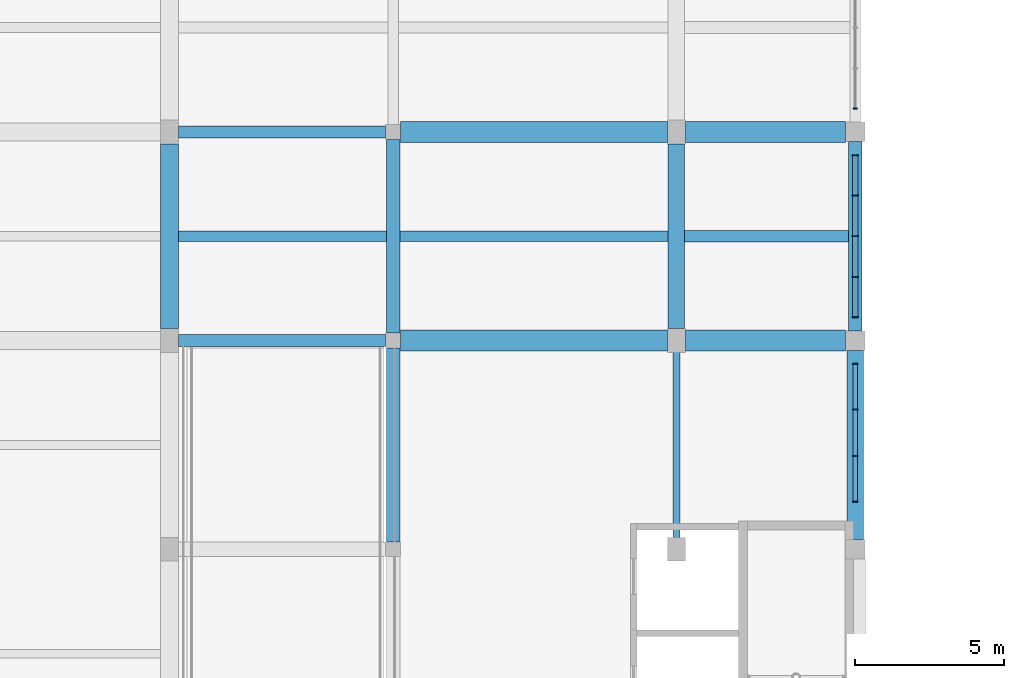
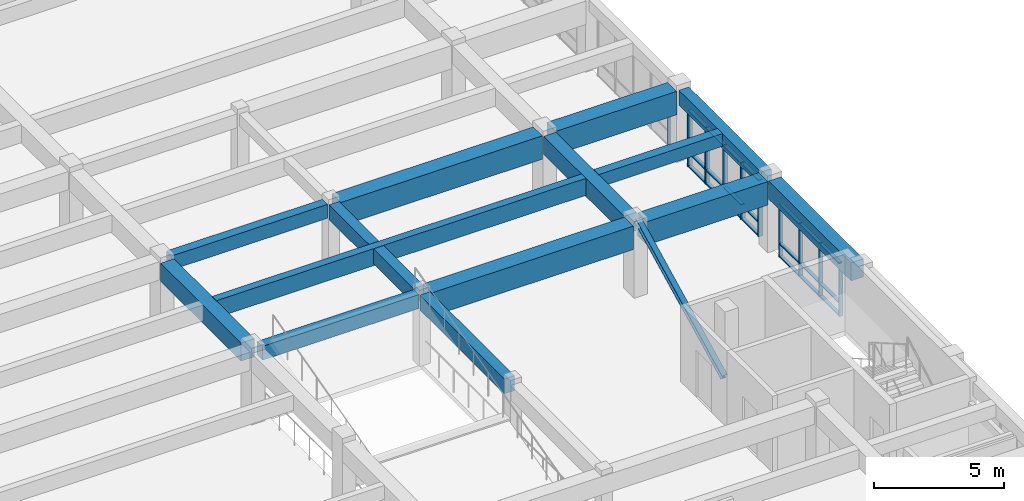
# One storey, part 40 of 77: 32 members, 14 beams, 3 elements without a shape of their own.
"""IFC4 building model written with IfcOpenShell, lengths in metres."""

import ifcopenshell
import ifcopenshell.guid

model = None  # the IFC model being written
_history = None  # IfcOwnerHistory: only IFC2X3 demands one
_inside = {}  # id of a spatial element -> (the spatial element, [elements in it])
_under = {}  # id of a project, library or spatial element -> (it, [spatial elements below it])
_declared = {}  # id of a project -> (the project, [libraries it declares])
_typed = {}  # id of a type object -> (the type object, [elements of that type])
_made_of = {}  # id of a material, layer set ... -> (it, [elements and type objects made of it])


def new_model(schema):
    """Start an empty IFC model of exactly this schema.

    Asked for "IFC4X3", IfcOpenShell would pick the latest addendum, in which some entities
    have other attributes; the version numbers below select the first issue.
    IFC2X3 requires an IfcOwnerHistory on every rooted entity: one is made here for all.
    """
    global model, _history
    if schema == "IFC4X3":
        model = ifcopenshell.file(schema_version=(4, 3, 0, 0))
    else:
        model = ifcopenshell.file(schema=schema)
    _inside.clear()
    _under.clear()
    _declared.clear()
    _typed.clear()
    _made_of.clear()
    _history = None
    if model.schema == "IFC2X3":
        org = make("IfcOrganization", Name="unknown")
        user = make(
            "IfcPersonAndOrganization",
            ThePerson=make("IfcPerson", FamilyName="unknown"),
            TheOrganization=org,
        )
        app = make(
            "IfcApplication",
            ApplicationDeveloper=org,
            Version="unknown",
            ApplicationFullName="unknown",
            ApplicationIdentifier="unknown",
        )
        _history = make(
            "IfcOwnerHistory",
            OwningUser=user,
            OwningApplication=app,
            ChangeAction="ADDED",
            CreationDate=0,
        )
    return model


def make(cls, **values):
    """One entity of the class cls with the attributes given. An attribute that is None is left unset."""
    return model.create_entity(
        cls, **{name: value for name, value in values.items() if value is not None}
    )


def rooted(cls, **values):
    """An entity with a GlobalId (a new one), such as an element, a storey or a relation."""
    return make(cls, GlobalId=ifcopenshell.guid.new(), OwnerHistory=_history, **values)


def si_unit(unit_type, name, prefix=None):
    """IfcSIUnit, for example si_unit("LENGTHUNIT", "METRE", prefix="MILLI")."""
    return make("IfcSIUnit", UnitType=unit_type, Prefix=prefix, Name=name)


def assignment(units):
    """IfcUnitAssignment: the units of a project."""
    return None if units is None else make("IfcUnitAssignment", Units=units)


def point(xyz):
    """IfcCartesianPoint."""
    return None if xyz is None else make("IfcCartesianPoint", Coordinates=xyz)


def direction(xyz):
    """IfcDirection."""
    return None if xyz is None else make("IfcDirection", DirectionRatios=xyz)


def frame(location, z_axis=None, x_axis=None):
    """IfcAxis2Placement3D, a coordinate frame: its origin and axes. An axis left out is left unset."""
    return make(
        "IfcAxis2Placement3D",
        Location=point(location),
        Axis=direction(z_axis),
        RefDirection=direction(x_axis),
    )


def frame_2d(location, x_axis=None):
    """IfcAxis2Placement2D, a coordinate frame in the plane: its origin and x axis."""
    return make(
        "IfcAxis2Placement2D", Location=point(location), RefDirection=direction(x_axis)
    )


def origin():
    """The frame at (0, 0, 0) with its axes left unset."""
    return frame((0.0, 0.0, 0.0))


def origin_2d():
    """The frame at (0, 0) in the plane with its x axis left unset."""
    return frame_2d((0.0, 0.0))


def place(relative_to, where):
    """IfcLocalPlacement: puts the frame where relative to a parent placement (None: the world)."""
    return make(
        "IfcLocalPlacement", PlacementRelTo=relative_to, RelativePlacement=where
    )


def context(
    kind, dimensions, precision=None, world=None, true_north=None, identifier=None
):
    """IfcGeometricRepresentationContext, for example the 3D "Model" context."""
    return make(
        "IfcGeometricRepresentationContext",
        ContextIdentifier=identifier,
        ContextType=kind,
        CoordinateSpaceDimension=dimensions,
        Precision=precision,
        WorldCoordinateSystem=world,
        TrueNorth=true_north,
    )


def subcontext(parent, identifier, kind, view, scale=None):
    """IfcGeometricRepresentationSubContext, for example "Body" below "Model"."""
    return make(
        "IfcGeometricRepresentationSubContext",
        ContextIdentifier=identifier,
        ContextType=kind,
        ParentContext=parent,
        TargetScale=scale,
        TargetView=view,
    )


def project(units=None, contexts=None):
    """IfcProject with its units and contexts."""
    return rooted(
        "IfcProject",
        Name="project",
        RepresentationContexts=contexts,
        UnitsInContext=assignment(units),
    )


def spatial(cls, under=None, at=None, **own):
    """A site, building, storey or space (cls), placed at a placement, below another one or the project."""
    s = rooted(cls, ObjectPlacement=at, **own)
    if under is not None:
        _under.setdefault(under.id(), (under, []))[1].append(s)
    return s


def profile(cls, at=None, kind="AREA", **sizes):
    """A parametric profile (cls). Its sizes go by their IFC names, for example OverallWidth=200.0."""
    return make(cls, ProfileType=kind, Position=at, **sizes)


def rectangle(**sizes):
    """IfcRectangleProfileDef."""
    return profile("IfcRectangleProfileDef", **sizes)


def i_section(**sizes):
    """IfcIShapeProfileDef."""
    return profile("IfcIShapeProfileDef", **sizes)


def extrude(swept, where, along, depth):
    """IfcExtrudedAreaSolid: the profile swept, set in the frame where, extruded along a direction by depth."""
    return make(
        "IfcExtrudedAreaSolid",
        SweptArea=swept,
        Position=where,
        ExtrudedDirection=direction(along),
        Depth=depth,
    )


def shape(context_of_items, identifier, shape_type, items):
    """IfcShapeRepresentation: the items that make up one representation, for example the "Body"."""
    return make(
        "IfcShapeRepresentation",
        ContextOfItems=context_of_items,
        RepresentationIdentifier=identifier,
        RepresentationType=shape_type,
        Items=items,
    )


def material(Name=None, Category=None):
    """IfcMaterial."""
    return make("IfcMaterial", Name=Name, Category=Category)


def material_profile(
    of_material, cross_section, Name=None, Category=None, Priority=None
):
    """IfcMaterialProfile: a cross section and its material."""
    return make(
        "IfcMaterialProfile",
        Name=Name,
        Material=of_material,
        Profile=cross_section,
        Priority=Priority,
        Category=Category,
    )


def profile_set(profiles, Name=None, composite=None):
    """IfcMaterialProfileSet."""
    return make(
        "IfcMaterialProfileSet",
        Name=Name,
        MaterialProfiles=profiles,
        CompositeProfile=composite,
    )


def made_of(thing, what):
    """Note that an element or type object is made of a material, layer set ...; save() writes the relation."""
    if what is not None:
        _made_of.setdefault(what.id(), (what, []))[1].append(thing)
    return thing


def type_object(cls, material=None, **own):
    """A type object (cls), such as IfcWallType, which elements share."""
    return made_of(rooted(cls, **own), material)


def element(
    cls,
    number,
    at=None,
    inside=None,
    cuts=None,
    type_object=None,
    material=None,
    context=None,
    identifier="Body",
    shape_type=None,
    held_by="IfcProductDefinitionShape",
    body=None,
    shapes=None,
    **own,
):
    """One element of the class cls, such as IfcWall. Its Tag is "e" and its number.

    at: its placement. inside: the storey or other place that contains it. cuts: it is an
    opening in that element (IfcRelVoidsElement). A single representation is given by context,
    identifier, shape_type and body (its items); several are given by shapes. held_by: the class
    of the entity that holds the representations. save() writes the other relations.
    """
    e = rooted(cls, Tag="e%d" % number, ObjectPlacement=at, **own)
    if body is not None:
        shapes = [shape(context, identifier, shape_type, body)]
    if shapes is not None:
        e.Representation = make(held_by, Representations=shapes)
    if inside is not None:
        _inside.setdefault(inside.id(), (inside, []))[1].append(e)
    if cuts is not None:
        rooted(
            "IfcRelVoidsElement", RelatingBuildingElement=cuts, RelatedOpeningElement=e
        )
    if type_object is not None:
        _typed.setdefault(type_object.id(), (type_object, []))[1].append(e)
    return made_of(e, material)


def aggregate(whole, parts):
    """IfcRelAggregates: a whole, such as a stair, and the parts it consists of."""
    return rooted("IfcRelAggregates", RelatingObject=whole, RelatedObjects=parts)


def save(model, path):
    """Write the relations noted so far, then the file.

    IfcRelAggregates (storeys below a building ...), IfcRelContainedInSpatialStructure (elements
    in a storey), IfcRelDefinesByType, IfcRelAssociatesMaterial and IfcRelDeclares: one each for
    every whole, place, type object, material and project.
    """
    for whole, parts in _under.values():
        aggregate(whole, parts)
    for where, things in _inside.values():
        rooted(
            "IfcRelContainedInSpatialStructure",
            RelatedElements=things,
            RelatingStructure=where,
        )
    for kind, things in _typed.values():
        rooted("IfcRelDefinesByType", RelatedObjects=things, RelatingType=kind)
    for what, things in _made_of.values():
        rooted("IfcRelAssociatesMaterial", RelatedObjects=things, RelatingMaterial=what)
    for by, libraries in _declared.values():
        rooted("IfcRelDeclares", RelatingContext=by, RelatedDefinitions=libraries)
    model.write(path)


model = new_model("IFC4")

# Units and contexts
model_context = context("Model", 3, precision=1e-05, world=origin(), true_north=direction((0.0, 1.0)))
body_context = subcontext(model_context, "Body", "Model", "MODEL_VIEW")
ifc_project = project(units=[si_unit("LENGTHUNIT", "METRE"), si_unit("AREAUNIT", "SQUARE_METRE"), si_unit("VOLUMEUNIT", "CUBIC_METRE"), si_unit("PLANEANGLEUNIT", "RADIAN"), si_unit("MASSUNIT", "GRAM", prefix="KILO")], contexts=[model_context])

# Site, building, storey
site_placement = place(None, origin())
site = spatial("IfcSite", under=ifc_project, at=site_placement, CompositionType="ELEMENT")
building_placement = place(site_placement, origin())
building = spatial("IfcBuilding", under=site, at=building_placement, Name="Larkveld Mobility Hub", CompositionType="ELEMENT")
storey_placement = place(building_placement, frame((0.0, 0.0, 12.0)))
storey = spatial("IfcBuildingStorey", under=building, at=storey_placement, Name="L03", CompositionType="ELEMENT", Elevation=12.0)

# Beams
ifc_material_1 = material(Name="Precast concrete C50/60", Category="concrete")
ifc_material_profile_1 = material_profile(ifc_material_1, rectangle(XDim=0.340087890625, YDim=0.800048828125, at=origin_2d()), Name="PC DT 340x800")
ifc_profile_set_1 = profile_set([ifc_material_profile_1], Name="Precast concrete C50/60")
beam_type_1 = type_object("IfcBeamType", Name="BM-DT3480", PredefinedType="T_BEAM", material=ifc_profile_set_1)
beam_1_placement = place(storey_placement, frame((129.294921875, 73.5, 2.969970703125), z_axis=(1.0, 0.0, 0.0), x_axis=(0.0, 1.0, 0.0)))
element("IfcBeam", 1, at=beam_1_placement, inside=storey, type_object=beam_type_1, Name="Precast Double-Tee Stem L03-1119", PredefinedType="T_BEAM", context=body_context, shape_type="SweptSolid", body=[
    extrude(rectangle(XDim=0.340087890625, YDim=0.800048828125, at=origin_2d()), origin(), (0.0, 0.0, 1.0), 16.43505859375),
])
ifc_material_profile_2 = material_profile(ifc_material_1, rectangle(XDim=0.60009765625, YDim=0.85009765625, at=origin_2d()), Name="PC ITB 600x850")
ifc_profile_set_2 = profile_set([ifc_material_profile_2], Name="Precast concrete C50/60")
beam_type_2 = type_object("IfcBeamType", Name="BM-ITB6085", PredefinedType="T_BEAM", material=ifc_profile_set_2)
beam_2_placement = place(storey_placement, frame((129.0, 70.39990234375, 2.93505859375), z_axis=(0.0, 1.0, 0.0), x_axis=(-1.0, 0.0, 0.0)))
element("IfcBeam", 2, at=beam_2_placement, inside=storey, type_object=beam_type_2, Name="Primary N-S Girder L03-0817", PredefinedType="T_BEAM", context=body_context, shape_type="SweptSolid", body=[
    extrude(rectangle(XDim=0.60009765625, YDim=0.85009765625, at=origin_2d()), origin(), (0.0, 0.0, 1.0), 6.2001953125),
])
ifc_material_2 = material(Name="Concrete C40/50", Category="concrete")
ifc_material_profile_3 = material_profile(ifc_material_2, rectangle(XDim=0.39990234375, YDim=0.60009765625, at=origin_2d()), Name="RC BM 400x600")
ifc_profile_set_3 = profile_set([ifc_material_profile_3], Name="Concrete C40/50")
beam_type_3 = type_object("IfcBeamType", Name="BM-RC4060", PredefinedType="BEAM", material=ifc_profile_set_3)
beam_3_placement = place(storey_placement, frame((146.27001953125, 73.5, 3.070068359375), z_axis=(1.0, 0.0, 0.0), x_axis=(0.0, 1.0, 0.0)))
element("IfcBeam", 3, at=beam_3_placement, inside=storey, type_object=beam_type_3, Name="Concourse Spine Joist L03-1120", PredefinedType="BEAM", context=body_context, shape_type="SweptSolid", body=[
    extrude(rectangle(XDim=0.39990234375, YDim=0.60009765625, at=origin_2d()), origin(), (0.0, 0.0, 1.0), 5.510009765625),
])
ifc_material_profile_4 = material_profile(ifc_material_2, rectangle(XDim=0.39990234375, YDim=0.64990234375, at=origin_2d()), Name="RC BM 400x650")
ifc_profile_set_4 = profile_set([ifc_material_profile_4], Name="Concrete C40/50")
beam_type_4 = type_object("IfcBeamType", Name="BM-RC4065", PredefinedType="BEAM", material=ifc_profile_set_4)
for number, where, z_axis, x_axis, name in (
    (4, (129.300048828125, 70.0, 3.034912109375), (1.0, 0.0, 0.0), (0.0, 1.0, 0.0), "Primary E-W Girder L03-0727"),
    (5, (129.300048828125, 77.0, 3.034912109375), (1.0, 0.0, 0.0), (0.0, 1.0, 0.0), "Primary E-W Girder L03-0731"),
):
    element("IfcBeam", number, at=place(storey_placement, frame(where, z_axis=z_axis, x_axis=x_axis)), inside=storey, type_object=beam_type_4, Name=name, PredefinedType="BEAM", context=body_context, shape_type="SweptSolid", body=[
        extrude(rectangle(XDim=0.39990234375, YDim=0.64990234375, at=origin_2d()), origin(), (0.0, 0.0, 1.0), 6.949951171875),
    ])
ifc_material_profile_5 = material_profile(ifc_material_2, rectangle(XDim=0.449951171875, YDim=0.699951171875, at=origin_2d()), Name="RC BM 450x700")
ifc_profile_set_5 = profile_set([ifc_material_profile_5], Name="Concrete C40/50")
beam_type_5 = type_object("IfcBeamType", Name="BM-RC4570", PredefinedType="BEAM", material=ifc_profile_set_5)
beam_4_placement = place(storey_placement, frame((136.5, 70.25, 3.010009765625), z_axis=(0.0, 1.0, 0.0), x_axis=(-1.0, 0.0, 0.0)))
element("IfcBeam", 6, at=beam_4_placement, inside=storey, type_object=beam_type_5, Name="Primary N-S Girder L03-0823", PredefinedType="BEAM", context=body_context, shape_type="SweptSolid", body=[
    extrude(rectangle(XDim=0.449951171875, YDim=0.699951171875, at=origin_2d()), origin(), (0.0, 0.0, 1.0), 6.5),
])
beam_5_placement = place(storey_placement, frame((152.0, 70.324951171875, 3.010009765625), z_axis=(0.0, 1.0, 0.0), x_axis=(-1.0, 0.0, 0.0)))
element("IfcBeam", 7, at=beam_5_placement, inside=storey, type_object=beam_type_5, Name="Primary N-S Girder L03-0843", PredefinedType="BEAM", context=body_context, shape_type="SweptSolid", body=[
    extrude(rectangle(XDim=0.449951171875, YDim=0.699951171875, at=origin_2d()), origin(), (0.0, 0.0, 1.0), 6.35009765625),
])
beam_6_placement = place(storey_placement, frame((136.5, 63.25, 3.010009765625), z_axis=(0.0, 1.0, 0.0), x_axis=(-1.0, 0.0, 0.0)))
element("IfcBeam", 8, at=beam_6_placement, inside=storey, type_object=beam_type_5, Name="Ramp Edge Girder L03-0853", PredefinedType="BEAM", context=body_context, shape_type="SweptSolid", body=[
    extrude(rectangle(XDim=0.449951171875, YDim=0.699951171875, at=origin_2d()), origin(), (0.0, 0.0, 1.0), 6.5),
])
ifc_material_profile_6 = material_profile(ifc_material_2, rectangle(XDim=0.550048828125, YDim=0.85009765625, at=origin_2d()), Name="RC BM 550x850")
ifc_profile_set_6 = profile_set([ifc_material_profile_6], Name="Concrete C40/50")
beam_type_6 = type_object("IfcBeamType", Name="BM-RC5585", PredefinedType="BEAM", material=ifc_profile_set_6)
beam_7_placement = place(storey_placement, frame((146.0, 70.39990234375, 2.93505859375), z_axis=(0.0, 1.0, 0.0), x_axis=(-1.0, 0.0, 0.0)))
element("IfcBeam", 9, at=beam_7_placement, inside=storey, type_object=beam_type_6, Name="Primary N-S Girder L03-0830", PredefinedType="BEAM", context=body_context, shape_type="SweptSolid", body=[
    extrude(rectangle(XDim=0.550048828125, YDim=0.85009765625, at=origin_2d()), origin(), (0.0, 0.0, 1.0), 6.2001953125),
])
beam_8_placement = place(storey_placement, frame((152.0, 63.324951171875, 2.93505859375), z_axis=(0.0, 1.0, 0.0), x_axis=(-1.0, 0.0, 0.0)))
element("IfcBeam", 10, at=beam_8_placement, inside=storey, type_object=beam_type_6, Name="Primary N-S Girder L03-0842", PredefinedType="BEAM", context=body_context, shape_type="SweptSolid", body=[
    extrude(rectangle(XDim=0.550048828125, YDim=0.85009765625, at=origin_2d()), origin(), (0.0, 0.0, 1.0), 6.35009765625),
])
ifc_material_profile_7 = material_profile(ifc_material_2, rectangle(XDim=0.699951171875, YDim=1.10009765625, at=origin_2d()), Name="RC BM 700x1100")
ifc_profile_set_7 = profile_set([ifc_material_profile_7], Name="Concrete C40/50")
beam_type_7 = type_object("IfcBeamType", Name="BM-RC70110", PredefinedType="BEAM", material=ifc_profile_set_7)
beam_9_placement = place(storey_placement, frame((136.75, 70.0, 2.81005859375), z_axis=(1.0, 0.0, 0.0), x_axis=(0.0, 1.0, 0.0)))
element("IfcBeam", 11, at=beam_9_placement, inside=storey, type_object=beam_type_7, Name="Primary E-W Girder L03-0728", PredefinedType="BEAM", context=body_context, shape_type="SweptSolid", body=[
    extrude(rectangle(XDim=0.699951171875, YDim=1.10009765625, at=origin_2d()), origin(), (0.0, 0.0, 1.0), 8.949951171875),
])
beam_10_placement = place(storey_placement, frame((146.300048828125, 70.0, 2.81005859375), z_axis=(1.0, 0.0, 0.0), x_axis=(0.0, 1.0, 0.0)))
element("IfcBeam", 12, at=beam_10_placement, inside=storey, type_object=beam_type_7, Name="Primary E-W Girder L03-0729", PredefinedType="BEAM", context=body_context, shape_type="SweptSolid", body=[
    extrude(rectangle(XDim=0.699951171875, YDim=1.10009765625, at=origin_2d()), origin(), (0.0, 0.0, 1.0), 5.375),
])
beam_11_placement = place(storey_placement, frame((136.75, 77.0, 2.81005859375), z_axis=(1.0, 0.0, 0.0), x_axis=(0.0, 1.0, 0.0)))
element("IfcBeam", 13, at=beam_11_placement, inside=storey, type_object=beam_type_7, Name="Primary E-W Girder L03-0732", PredefinedType="BEAM", context=body_context, shape_type="SweptSolid", body=[
    extrude(rectangle(XDim=0.699951171875, YDim=1.10009765625, at=origin_2d()), origin(), (0.0, 0.0, 1.0), 8.949951171875),
])
beam_12_placement = place(storey_placement, frame((146.300048828125, 77.0, 2.81005859375), z_axis=(1.0, 0.0, 0.0), x_axis=(0.0, 1.0, 0.0)))
element("IfcBeam", 14, at=beam_12_placement, inside=storey, type_object=beam_type_7, Name="Primary E-W Girder L03-0733", PredefinedType="BEAM", context=body_context, shape_type="SweptSolid", body=[
    extrude(rectangle(XDim=0.699951171875, YDim=1.10009765625, at=origin_2d()), origin(), (0.0, 0.0, 1.0), 5.375),
])

# Curtain wall, members
ifc_material_3 = material(Name="Anodised aluminium 6063-T6", Category="aluminium")
curtain_wall_type_1 = type_object("IfcCurtainWallType", Name="CW-SYS-06", PredefinedType="NOTDEFINED", material=ifc_material_3)
curtain_wall_1_placement = place(storey_placement, origin())
curtain_wall_1 = element("IfcCurtainWall", 15, at=curtain_wall_1_placement, inside=storey, type_object=curtain_wall_type_1, Name="Upper Mobility and Sports East Glazing L03 CW-150", PredefinedType="NOTDEFINED")
ifc_material_profile_8 = material_profile(ifc_material_3, rectangle(XDim=0.050048828125, YDim=0.179931640625, at=origin_2d()), Name="ALU MULL 50x180")
ifc_profile_set_8 = profile_set([ifc_material_profile_8], Name="Anodised aluminium 6063-T6")
member_type_1 = type_object("IfcMemberType", Name="CW-MUL-02", PredefinedType="MULLION", material=ifc_profile_set_8)
member_1_placement = place(storey_placement, frame((152.0, 64.60498046875, -0.001953125), z_axis=(0.0, 0.0, 1.0), x_axis=(0.0, 1.0, 0.0)))
member_1 = element("IfcMember", 16, at=member_1_placement, type_object=member_type_1, Name="CW06 mullion 1", PredefinedType="MULLION", context=body_context, shape_type="SweptSolid", body=[
    extrude(rectangle(XDim=0.050048828125, YDim=0.179931640625, at=origin_2d()), origin(), (0.0, 0.0, 1.0), 2.511962890625),
])
member_2_placement = place(storey_placement, frame((152.0, 66.132080078125, -0.001953125), z_axis=(0.0, 0.0, 1.0), x_axis=(0.0, 1.0, 0.0)))
member_2 = element("IfcMember", 17, at=member_2_placement, type_object=member_type_1, Name="CW06 mullion 2", PredefinedType="MULLION", context=body_context, shape_type="SweptSolid", body=[
    extrude(rectangle(XDim=0.050048828125, YDim=0.179931640625, at=origin_2d()), origin(), (0.0, 0.0, 1.0), 2.511962890625),
])
member_3_placement = place(storey_placement, frame((152.0, 67.68310546875, -0.001953125), z_axis=(0.0, 0.0, 1.0), x_axis=(0.0, 1.0, 0.0)))
member_3 = element("IfcMember", 18, at=member_3_placement, type_object=member_type_1, Name="CW06 mullion 3", PredefinedType="MULLION", context=body_context, shape_type="SweptSolid", body=[
    extrude(rectangle(XDim=0.050048828125, YDim=0.179931640625, at=origin_2d()), origin(), (0.0, 0.0, 1.0), 2.511962890625),
])
member_4_placement = place(storey_placement, frame((152.0, 69.2099609375, -0.001953125), z_axis=(0.0, 0.0, 1.0), x_axis=(0.0, 1.0, 0.0)))
member_4 = element("IfcMember", 19, at=member_4_placement, type_object=member_type_1, Name="CW06 mullion 4", PredefinedType="MULLION", context=body_context, shape_type="SweptSolid", body=[
    extrude(rectangle(XDim=0.050048828125, YDim=0.179931640625, at=origin_2d()), origin(), (0.0, 0.0, 1.0), 2.511962890625),
])

curtain_wall_type_2 = type_object("IfcCurtainWallType", Name="CW-SYS-07", PredefinedType="NOTDEFINED", material=ifc_material_3)
curtain_wall_2_placement = place(storey_placement, origin())
curtain_wall_2 = element("IfcCurtainWall", 20, at=curtain_wall_2_placement, inside=storey, type_object=curtain_wall_type_2, Name="Upper Mobility and Sports East Glazing L03 CW-151", PredefinedType="NOTDEFINED")
ifc_material_profile_9 = material_profile(ifc_material_3, rectangle(XDim=0.050048828125, YDim=0.2099609375, at=origin_2d()), Name="ALU MULL 50x210")
ifc_profile_set_9 = profile_set([ifc_material_profile_9], Name="Anodised aluminium 6063-T6")
member_type_2 = type_object("IfcMemberType", Name="CW-MUL-03", PredefinedType="MULLION", material=ifc_profile_set_9)
member_5_placement = place(storey_placement, frame((152.0, 70.7900390625, -0.001953125), z_axis=(0.0, 0.0, 1.0), x_axis=(0.0, 1.0, 0.0)))
member_5 = element("IfcMember", 21, at=member_5_placement, type_object=member_type_2, Name="CW07 mullion 1", PredefinedType="MULLION", context=body_context, shape_type="SweptSolid", body=[
    extrude(rectangle(XDim=0.050048828125, YDim=0.2099609375, at=origin_2d()), origin(), (0.0, 0.0, 1.0), 2.661865234375),
])
member_6_placement = place(storey_placement, frame((152.0, 72.132080078125, -0.001953125), z_axis=(0.0, 0.0, 1.0), x_axis=(0.0, 1.0, 0.0)))
member_6 = element("IfcMember", 22, at=member_6_placement, type_object=member_type_2, Name="CW07 mullion 2", PredefinedType="MULLION", context=body_context, shape_type="SweptSolid", body=[
    extrude(rectangle(XDim=0.050048828125, YDim=0.2099609375, at=origin_2d()), origin(), (0.0, 0.0, 1.0), 2.661865234375),
])
member_7_placement = place(storey_placement, frame((152.0, 73.5, -0.001953125), z_axis=(0.0, 0.0, 1.0), x_axis=(0.0, 1.0, 0.0)))
member_7 = element("IfcMember", 23, at=member_7_placement, type_object=member_type_2, Name="CW07 mullion 3", PredefinedType="MULLION", context=body_context, shape_type="SweptSolid", body=[
    extrude(rectangle(XDim=0.050048828125, YDim=0.2099609375, at=origin_2d()), origin(), (0.0, 0.0, 1.0), 2.661865234375),
])
member_8_placement = place(storey_placement, frame((152.0, 74.866943359375, -0.001953125), z_axis=(0.0, 0.0, 1.0), x_axis=(0.0, 1.0, 0.0)))
member_8 = element("IfcMember", 24, at=member_8_placement, type_object=member_type_2, Name="CW07 mullion 4", PredefinedType="MULLION", context=body_context, shape_type="SweptSolid", body=[
    extrude(rectangle(XDim=0.050048828125, YDim=0.2099609375, at=origin_2d()), origin(), (0.0, 0.0, 1.0), 2.661865234375),
])
member_9_placement = place(storey_placement, frame((152.0, 76.2099609375, -0.001953125), z_axis=(0.0, 0.0, 1.0), x_axis=(0.0, 1.0, 0.0)))
member_9 = element("IfcMember", 25, at=member_9_placement, type_object=member_type_2, Name="CW07 mullion 5", PredefinedType="MULLION", context=body_context, shape_type="SweptSolid", body=[
    extrude(rectangle(XDim=0.050048828125, YDim=0.2099609375, at=origin_2d()), origin(), (0.0, 0.0, 1.0), 2.661865234375),
])

# Curtain wall, member
curtain_wall_type_3 = type_object("IfcCurtainWallType", Name="CW-SYS-08", PredefinedType="NOTDEFINED", material=ifc_material_3)
curtain_wall_3_placement = place(storey_placement, origin())
curtain_wall_3 = element("IfcCurtainWall", 26, at=curtain_wall_3_placement, inside=storey, type_object=curtain_wall_type_3, Name="Upper Mobility and Sports East Glazing L03 CW-152", PredefinedType="NOTDEFINED")
ifc_material_profile_10 = material_profile(ifc_material_3, rectangle(XDim=0.050048828125, YDim=0.1298828125, at=origin_2d()), Name="ALU MULL 50x130")
ifc_profile_set_10 = profile_set([ifc_material_profile_10], Name="Anodised aluminium 6063-T6")
member_type_3 = type_object("IfcMemberType", Name="CW-MUL-04", PredefinedType="MULLION", material=ifc_profile_set_10)
member_10_placement = place(storey_placement, frame((152.0, 77.7900390625, -0.001953125), z_axis=(0.0, 0.0, 1.0), x_axis=(0.0, 1.0, 0.0)))
member_10 = element("IfcMember", 27, at=member_10_placement, type_object=member_type_3, Name="CW08 mullion 1", PredefinedType="MULLION", context=body_context, shape_type="SweptSolid", body=[
    extrude(rectangle(XDim=0.050048828125, YDim=0.1298828125, at=origin_2d()), origin(), (0.0, 0.0, 1.0), 2.77197265625),
])
aggregate(curtain_wall_3, [member_10])

# Member
ifc_material_profile_11 = material_profile(ifc_material_3, rectangle(XDim=0.14990234375, YDim=0.050048828125, at=origin_2d()), Name="ALU TRAN 50x150")
ifc_profile_set_11 = profile_set([ifc_material_profile_11], Name="Anodised aluminium 6063-T6")
member_type_4 = type_object("IfcMemberType", Name="CW-TRN-02", PredefinedType="USERDEFINED", material=ifc_profile_set_11)
member_11_placement = place(storey_placement, frame((152.0, 64.614990234375, 0.030029296875), z_axis=(0.0, 1.0, 0.0), x_axis=(-1.0, 0.0, 0.0)))
member_11 = element("IfcMember", 28, at=member_11_placement, type_object=member_type_4, Name="CW06 transom 1.1", ObjectType="TRANSOM", PredefinedType="USERDEFINED", context=body_context, shape_type="SweptSolid", body=[
    extrude(rectangle(XDim=0.14990234375, YDim=0.050048828125, at=origin_2d()), origin(), (0.0, 0.0, 1.0), 1.501953125),
])

member_12_placement = place(storey_placement, frame((152.0, 64.614990234375, 0.626953125), z_axis=(0.0, 1.0, 0.0), x_axis=(-1.0, 0.0, 0.0)))
member_12 = element("IfcMember", 29, at=member_12_placement, type_object=member_type_4, Name="CW06 transom 1.2", ObjectType="TRANSOM", PredefinedType="USERDEFINED", context=body_context, shape_type="SweptSolid", body=[
    extrude(rectangle(XDim=0.14990234375, YDim=0.050048828125, at=origin_2d()), origin(), (0.0, 0.0, 1.0), 1.501953125),
])

member_13_placement = place(storey_placement, frame((152.0, 64.614990234375, 2.47802734375), z_axis=(0.0, 1.0, 0.0), x_axis=(-1.0, 0.0, 0.0)))
member_13 = element("IfcMember", 30, at=member_13_placement, type_object=member_type_4, Name="CW06 transom 1.3", ObjectType="TRANSOM", PredefinedType="USERDEFINED", context=body_context, shape_type="SweptSolid", body=[
    extrude(rectangle(XDim=0.14990234375, YDim=0.050048828125, at=origin_2d()), origin(), (0.0, 0.0, 1.0), 1.501953125),
])

member_14_placement = place(storey_placement, frame((152.0, 66.14697265625, 0.030029296875), z_axis=(0.0, 1.0, 0.0), x_axis=(-1.0, 0.0, 0.0)))
member_14 = element("IfcMember", 31, at=member_14_placement, type_object=member_type_4, Name="CW06 transom 2.1", ObjectType="TRANSOM", PredefinedType="USERDEFINED", context=body_context, shape_type="SweptSolid", body=[
    extrude(rectangle(XDim=0.14990234375, YDim=0.050048828125, at=origin_2d()), origin(), (0.0, 0.0, 1.0), 1.52099609375),
])

member_15_placement = place(storey_placement, frame((152.0, 66.14697265625, 0.626953125), z_axis=(0.0, 1.0, 0.0), x_axis=(-1.0, 0.0, 0.0)))
member_15 = element("IfcMember", 32, at=member_15_placement, type_object=member_type_4, Name="CW06 transom 2.2", ObjectType="TRANSOM", PredefinedType="USERDEFINED", context=body_context, shape_type="SweptSolid", body=[
    extrude(rectangle(XDim=0.14990234375, YDim=0.050048828125, at=origin_2d()), origin(), (0.0, 0.0, 1.0), 1.52099609375),
])

member_16_placement = place(storey_placement, frame((152.0, 66.14697265625, 2.47802734375), z_axis=(0.0, 1.0, 0.0), x_axis=(-1.0, 0.0, 0.0)))
member_16 = element("IfcMember", 33, at=member_16_placement, type_object=member_type_4, Name="CW06 transom 2.3", ObjectType="TRANSOM", PredefinedType="USERDEFINED", context=body_context, shape_type="SweptSolid", body=[
    extrude(rectangle(XDim=0.14990234375, YDim=0.050048828125, at=origin_2d()), origin(), (0.0, 0.0, 1.0), 1.52099609375),
])

member_17_placement = place(storey_placement, frame((152.0, 67.697998046875, 0.030029296875), z_axis=(0.0, 1.0, 0.0), x_axis=(-1.0, 0.0, 0.0)))
member_17 = element("IfcMember", 34, at=member_17_placement, type_object=member_type_4, Name="CW06 transom 3.1", ObjectType="TRANSOM", PredefinedType="USERDEFINED", context=body_context, shape_type="SweptSolid", body=[
    extrude(rectangle(XDim=0.14990234375, YDim=0.050048828125, at=origin_2d()), origin(), (0.0, 0.0, 1.0), 1.501953125),
])

member_18_placement = place(storey_placement, frame((152.0, 67.697998046875, 0.626953125), z_axis=(0.0, 1.0, 0.0), x_axis=(-1.0, 0.0, 0.0)))
member_18 = element("IfcMember", 35, at=member_18_placement, type_object=member_type_4, Name="CW06 transom 3.2", ObjectType="TRANSOM", PredefinedType="USERDEFINED", context=body_context, shape_type="SweptSolid", body=[
    extrude(rectangle(XDim=0.14990234375, YDim=0.050048828125, at=origin_2d()), origin(), (0.0, 0.0, 1.0), 1.501953125),
])

member_19_placement = place(storey_placement, frame((152.0, 67.697998046875, 2.47802734375), z_axis=(0.0, 1.0, 0.0), x_axis=(-1.0, 0.0, 0.0)))
member_19 = element("IfcMember", 36, at=member_19_placement, type_object=member_type_4, Name="CW06 transom 3.3", ObjectType="TRANSOM", PredefinedType="USERDEFINED", context=body_context, shape_type="SweptSolid", body=[
    extrude(rectangle(XDim=0.14990234375, YDim=0.050048828125, at=origin_2d()), origin(), (0.0, 0.0, 1.0), 1.501953125),
])

aggregate(curtain_wall_1, [member_1, member_2, member_3, member_4, member_11, member_12, member_13, member_14, member_15, member_16, member_17, member_18, member_19])

ifc_material_profile_12 = material_profile(ifc_material_3, rectangle(XDim=0.169921875, YDim=0.050048828125, at=origin_2d()), Name="ALU TRAN 50x170")
ifc_profile_set_12 = profile_set([ifc_material_profile_12], Name="Anodised aluminium 6063-T6")
member_type_5 = type_object("IfcMemberType", Name="CW-TRN-03", PredefinedType="USERDEFINED", material=ifc_profile_set_12)
member_20_placement = place(storey_placement, frame((152.0, 70.800048828125, 0.030029296875), z_axis=(0.0, 1.0, 0.0), x_axis=(-1.0, 0.0, 0.0)))
member_20 = element("IfcMember", 37, at=member_20_placement, type_object=member_type_5, Name="CW07 transom 1.1", ObjectType="TRANSOM", PredefinedType="USERDEFINED", context=body_context, shape_type="SweptSolid", body=[
    extrude(rectangle(XDim=0.169921875, YDim=0.050048828125, at=origin_2d()), origin(), (0.0, 0.0, 1.0), 1.31689453125),
])

member_21_placement = place(storey_placement, frame((152.0, 70.800048828125, 0.6650390625), z_axis=(0.0, 1.0, 0.0), x_axis=(-1.0, 0.0, 0.0)))
member_21 = element("IfcMember", 38, at=member_21_placement, type_object=member_type_5, Name="CW07 transom 1.2", ObjectType="TRANSOM", PredefinedType="USERDEFINED", context=body_context, shape_type="SweptSolid", body=[
    extrude(rectangle(XDim=0.169921875, YDim=0.050048828125, at=origin_2d()), origin(), (0.0, 0.0, 1.0), 1.31689453125),
])

member_22_placement = place(storey_placement, frame((152.0, 70.800048828125, 2.6279296875), z_axis=(0.0, 1.0, 0.0), x_axis=(-1.0, 0.0, 0.0)))
member_22 = element("IfcMember", 39, at=member_22_placement, type_object=member_type_5, Name="CW07 transom 1.3", ObjectType="TRANSOM", PredefinedType="USERDEFINED", context=body_context, shape_type="SweptSolid", body=[
    extrude(rectangle(XDim=0.169921875, YDim=0.050048828125, at=origin_2d()), origin(), (0.0, 0.0, 1.0), 1.31689453125),
])

member_23_placement = place(storey_placement, frame((152.0, 72.14697265625, 0.030029296875), z_axis=(0.0, 1.0, 0.0), x_axis=(-1.0, 0.0, 0.0)))
member_23 = element("IfcMember", 40, at=member_23_placement, type_object=member_type_5, Name="CW07 transom 2.1", ObjectType="TRANSOM", PredefinedType="USERDEFINED", context=body_context, shape_type="SweptSolid", body=[
    extrude(rectangle(XDim=0.169921875, YDim=0.050048828125, at=origin_2d()), origin(), (0.0, 0.0, 1.0), 1.338134765625),
])

member_24_placement = place(storey_placement, frame((152.0, 72.14697265625, 0.6650390625), z_axis=(0.0, 1.0, 0.0), x_axis=(-1.0, 0.0, 0.0)))
member_24 = element("IfcMember", 41, at=member_24_placement, type_object=member_type_5, Name="CW07 transom 2.2", ObjectType="TRANSOM", PredefinedType="USERDEFINED", context=body_context, shape_type="SweptSolid", body=[
    extrude(rectangle(XDim=0.169921875, YDim=0.050048828125, at=origin_2d()), origin(), (0.0, 0.0, 1.0), 1.338134765625),
])

member_25_placement = place(storey_placement, frame((152.0, 72.14697265625, 2.6279296875), z_axis=(0.0, 1.0, 0.0), x_axis=(-1.0, 0.0, 0.0)))
member_25 = element("IfcMember", 42, at=member_25_placement, type_object=member_type_5, Name="CW07 transom 2.3", ObjectType="TRANSOM", PredefinedType="USERDEFINED", context=body_context, shape_type="SweptSolid", body=[
    extrude(rectangle(XDim=0.169921875, YDim=0.050048828125, at=origin_2d()), origin(), (0.0, 0.0, 1.0), 1.338134765625),
])

member_26_placement = place(storey_placement, frame((152.0, 73.514892578125, 0.030029296875), z_axis=(0.0, 1.0, 0.0), x_axis=(-1.0, 0.0, 0.0)))
member_26 = element("IfcMember", 43, at=member_26_placement, type_object=member_type_5, Name="CW07 transom 3.1", ObjectType="TRANSOM", PredefinedType="USERDEFINED", context=body_context, shape_type="SweptSolid", body=[
    extrude(rectangle(XDim=0.169921875, YDim=0.050048828125, at=origin_2d()), origin(), (0.0, 0.0, 1.0), 1.337158203125),
])

member_27_placement = place(storey_placement, frame((152.0, 73.514892578125, 0.6650390625), z_axis=(0.0, 1.0, 0.0), x_axis=(-1.0, 0.0, 0.0)))
member_27 = element("IfcMember", 44, at=member_27_placement, type_object=member_type_5, Name="CW07 transom 3.2", ObjectType="TRANSOM", PredefinedType="USERDEFINED", context=body_context, shape_type="SweptSolid", body=[
    extrude(rectangle(XDim=0.169921875, YDim=0.050048828125, at=origin_2d()), origin(), (0.0, 0.0, 1.0), 1.337158203125),
])

member_28_placement = place(storey_placement, frame((152.0, 73.514892578125, 2.6279296875), z_axis=(0.0, 1.0, 0.0), x_axis=(-1.0, 0.0, 0.0)))
member_28 = element("IfcMember", 45, at=member_28_placement, type_object=member_type_5, Name="CW07 transom 3.3", ObjectType="TRANSOM", PredefinedType="USERDEFINED", context=body_context, shape_type="SweptSolid", body=[
    extrude(rectangle(XDim=0.169921875, YDim=0.050048828125, at=origin_2d()), origin(), (0.0, 0.0, 1.0), 1.337158203125),
])

member_29_placement = place(storey_placement, frame((152.0, 74.882080078125, 0.030029296875), z_axis=(0.0, 1.0, 0.0), x_axis=(-1.0, 0.0, 0.0)))
member_29 = element("IfcMember", 46, at=member_29_placement, type_object=member_type_5, Name="CW07 transom 4.1", ObjectType="TRANSOM", PredefinedType="USERDEFINED", context=body_context, shape_type="SweptSolid", body=[
    extrude(rectangle(XDim=0.169921875, YDim=0.050048828125, at=origin_2d()), origin(), (0.0, 0.0, 1.0), 1.31787109375),
])

member_30_placement = place(storey_placement, frame((152.0, 74.882080078125, 0.6650390625), z_axis=(0.0, 1.0, 0.0), x_axis=(-1.0, 0.0, 0.0)))
member_30 = element("IfcMember", 47, at=member_30_placement, type_object=member_type_5, Name="CW07 transom 4.2", ObjectType="TRANSOM", PredefinedType="USERDEFINED", context=body_context, shape_type="SweptSolid", body=[
    extrude(rectangle(XDim=0.169921875, YDim=0.050048828125, at=origin_2d()), origin(), (0.0, 0.0, 1.0), 1.31787109375),
])

member_31_placement = place(storey_placement, frame((152.0, 74.882080078125, 2.6279296875), z_axis=(0.0, 1.0, 0.0), x_axis=(-1.0, 0.0, 0.0)))
member_31 = element("IfcMember", 48, at=member_31_placement, type_object=member_type_5, Name="CW07 transom 4.3", ObjectType="TRANSOM", PredefinedType="USERDEFINED", context=body_context, shape_type="SweptSolid", body=[
    extrude(rectangle(XDim=0.169921875, YDim=0.050048828125, at=origin_2d()), origin(), (0.0, 0.0, 1.0), 1.31787109375),
])

aggregate(curtain_wall_2, [member_5, member_6, member_7, member_8, member_9, member_20, member_21, member_22, member_23, member_24, member_25, member_26, member_27, member_28, member_29, member_30, member_31])

ifc_material_4 = material(Name="Steel S355JR", Category="steel")
ifc_material_profile_13 = material_profile(ifc_material_4, i_section(OverallWidth=0.239990234375, OverallDepth=0.239990234375, WebThickness=0.010009765625, FlangeThickness=0.01708984375, FilletRadius=0.02099609375, at=origin_2d()), Name="HEB 240")
ifc_profile_set_13 = profile_set([ifc_material_profile_13], Name="Steel S355JR")
member_type_6 = type_object("IfcMemberType", Name="MB-BR-HEB240", PredefinedType="BRACE", material=ifc_profile_set_13)
member_32_placement = place(storey_placement, frame((146.0, 63.179931640625, 0.10009765625), z_axis=(0.0, 0.892819511719, 0.450414608438), x_axis=(-1.0, 0.0, 0.0)))
element("IfcMember", 49, at=member_32_placement, inside=storey, type_object=member_type_6, Name="Lateral Diagonal Brace LB-06", PredefinedType="BRACE", context=body_context, shape_type="SweptSolid", body=[
    extrude(i_section(OverallWidth=0.239990234375, OverallDepth=0.239990234375, WebThickness=0.010009765625, FlangeThickness=0.01708984375, FilletRadius=0.02099609375, at=origin_2d()), origin(), (0.0, 0.0, 1.0), 7.437255859375),
])

save(model, "model.ifc")
